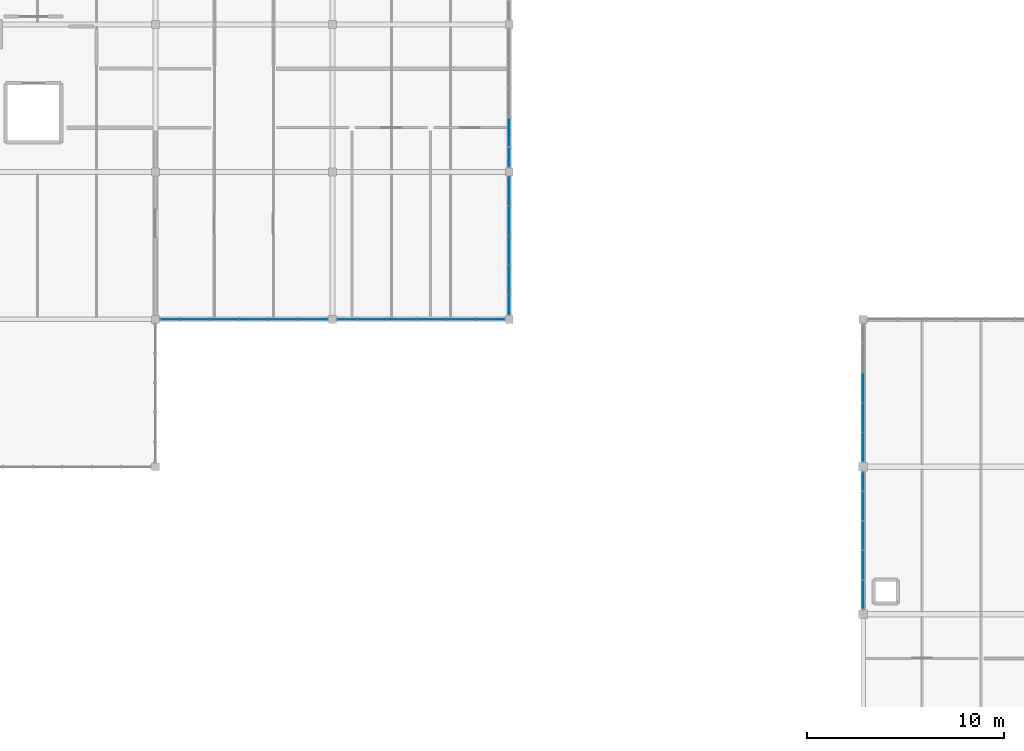
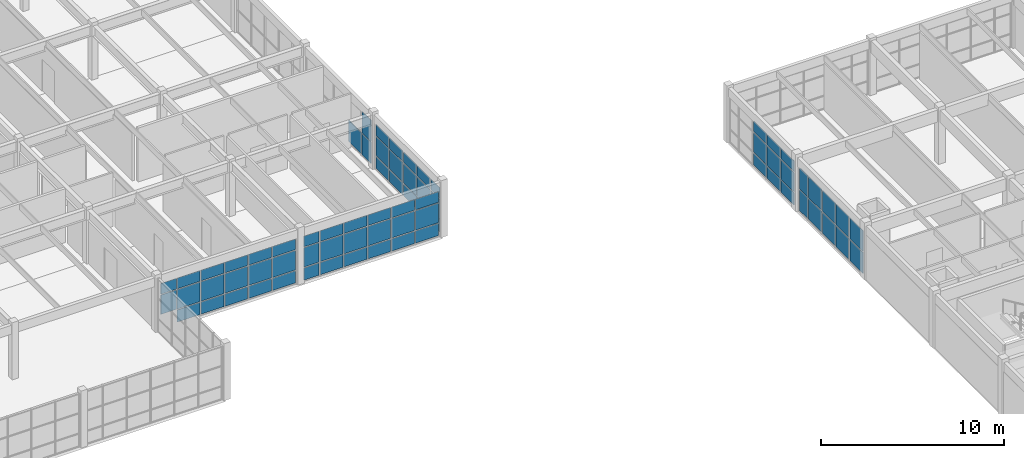
# One storey, part 57 of 81: 72 plates, 6 elements without a shape of their own.
"""IFC4 building model written with IfcOpenShell, lengths in metres."""

from ifc_helpers import new_model, si_unit, direction, frame, origin, origin_2d, place, context, subcontext, project, spatial, rectangle, extrude, material, layer, layer_set, type_object, element, aggregate, save


model = new_model("IFC4")

# Units and contexts
model_context = context("Model", 3, precision=1e-05, world=origin(), true_north=direction((0.0, 1.0)))
body_context = subcontext(model_context, "Body", "Model", "MODEL_VIEW")
ifc_project = project(units=[si_unit("LENGTHUNIT", "METRE"), si_unit("AREAUNIT", "SQUARE_METRE"), si_unit("VOLUMEUNIT", "CUBIC_METRE"), si_unit("PLANEANGLEUNIT", "RADIAN"), si_unit("MASSUNIT", "GRAM", prefix="KILO")], contexts=[model_context])

# Site, building, storey
site_placement = place(None, origin())
site = spatial("IfcSite", under=ifc_project, at=site_placement, CompositionType="ELEMENT")
building_placement = place(site_placement, origin())
building = spatial("IfcBuilding", under=site, at=building_placement, Name="Marnridge Secondary College", CompositionType="ELEMENT")
storey_placement = place(building_placement, frame((0.0, 0.0, 8.5)))
storey = spatial("IfcBuildingStorey", under=building, at=storey_placement, Name="L02", CompositionType="ELEMENT", Elevation=8.5)

# Curtain wall, plates
ifc_material_1 = material(Name="Thermally broken aluminium and low-E glazing", Category="aluminium")
ifc_layer_1 = layer(ifc_material_1, 0.159912109375)
ifc_layer_set_1 = layer_set([ifc_layer_1], Name="CW-MOD-1500")
curtain_wall_type = type_object("IfcCurtainWallType", Name="CW-MOD-1500", PredefinedType="NOTDEFINED", material=ifc_layer_set_1)
curtain_wall_1_placement = place(storey_placement, origin())
curtain_wall_1 = element("IfcCurtainWall", 1, at=curtain_wall_1_placement, inside=storey, type_object=curtain_wall_type, Name="Unitised curtain wall CW-L02-083", PredefinedType="NOTDEFINED")
ifc_material_2 = material(Name="Double-glazed low-E argon unit", Category="glass")
ifc_layer_2 = layer(ifc_material_2, 0.028076171875)
ifc_layer_set_2 = layer_set([ifc_layer_2], Name="CWP-GLZ28")
plate_type = type_object("IfcPlateType", Name="CWP-GLZ28", PredefinedType="CURTAIN_PANEL", material=ifc_layer_set_2)
plate_1_placement = place(storey_placement, frame((54.0, 68.509033203125, 0.06005859375), z_axis=(0.0, 0.0, 1.0), x_axis=(0.0, 1.0, 0.0)))
plate_1 = element("IfcPlate", 2, at=plate_1_placement, type_object=plate_type, Name="CW-L02-083 panel 1.1", PredefinedType="CURTAIN_PANEL", context=body_context, shape_type="SweptSolid", body=[
    extrude(rectangle(XDim=1.43994140625, YDim=0.028076171875, at=origin_2d()), origin(), (0.0, 0.0, 1.0), 1.39892578125),
])
plate_2_placement = place(storey_placement, frame((54.0, 68.509033203125, 1.51904296875), z_axis=(0.0, 0.0, 1.0), x_axis=(0.0, 1.0, 0.0)))
plate_2 = element("IfcPlate", 3, at=plate_2_placement, type_object=plate_type, Name="CW-L02-083 panel 1.2", PredefinedType="CURTAIN_PANEL", context=body_context, shape_type="SweptSolid", body=[
    extrude(rectangle(XDim=1.43994140625, YDim=0.028076171875, at=origin_2d()), origin(), (0.0, 0.0, 1.0), 1.39794921875),
])
plate_3_placement = place(storey_placement, frame((54.0, 70.009033203125, 0.06005859375), z_axis=(0.0, 0.0, 1.0), x_axis=(0.0, 1.0, 0.0)))
plate_3 = element("IfcPlate", 4, at=plate_3_placement, type_object=plate_type, Name="CW-L02-083 panel 2.1", PredefinedType="CURTAIN_PANEL", context=body_context, shape_type="SweptSolid", body=[
    extrude(rectangle(XDim=1.43994140625, YDim=0.028076171875, at=origin_2d()), origin(), (0.0, 0.0, 1.0), 1.39892578125),
])
plate_4_placement = place(storey_placement, frame((54.0, 70.009033203125, 1.51904296875), z_axis=(0.0, 0.0, 1.0), x_axis=(0.0, 1.0, 0.0)))
plate_4 = element("IfcPlate", 5, at=plate_4_placement, type_object=plate_type, Name="CW-L02-083 panel 2.2", PredefinedType="CURTAIN_PANEL", context=body_context, shape_type="SweptSolid", body=[
    extrude(rectangle(XDim=1.43994140625, YDim=0.028076171875, at=origin_2d()), origin(), (0.0, 0.0, 1.0), 1.39794921875),
])
plate_5_placement = place(storey_placement, frame((54.0, 71.509033203125, 0.06005859375), z_axis=(0.0, 0.0, 1.0), x_axis=(0.0, 1.0, 0.0)))
plate_5 = element("IfcPlate", 6, at=plate_5_placement, type_object=plate_type, Name="CW-L02-083 panel 3.1", PredefinedType="CURTAIN_PANEL", context=body_context, shape_type="SweptSolid", body=[
    extrude(rectangle(XDim=1.43994140625, YDim=0.028076171875, at=origin_2d()), origin(), (0.0, 0.0, 1.0), 1.39892578125),
])
plate_6_placement = place(storey_placement, frame((54.0, 71.509033203125, 1.51904296875), z_axis=(0.0, 0.0, 1.0), x_axis=(0.0, 1.0, 0.0)))
plate_6 = element("IfcPlate", 7, at=plate_6_placement, type_object=plate_type, Name="CW-L02-083 panel 3.2", PredefinedType="CURTAIN_PANEL", context=body_context, shape_type="SweptSolid", body=[
    extrude(rectangle(XDim=1.43994140625, YDim=0.028076171875, at=origin_2d()), origin(), (0.0, 0.0, 1.0), 1.39794921875),
])
plate_7_placement = place(storey_placement, frame((54.0, 73.009033203125, 0.06005859375), z_axis=(0.0, 0.0, 1.0), x_axis=(0.0, 1.0, 0.0)))
plate_7 = element("IfcPlate", 8, at=plate_7_placement, type_object=plate_type, Name="CW-L02-083 panel 4.1", PredefinedType="CURTAIN_PANEL", context=body_context, shape_type="SweptSolid", body=[
    extrude(rectangle(XDim=1.43994140625, YDim=0.028076171875, at=origin_2d()), origin(), (0.0, 0.0, 1.0), 1.39892578125),
])
plate_8_placement = place(storey_placement, frame((54.0, 73.009033203125, 1.51904296875), z_axis=(0.0, 0.0, 1.0), x_axis=(0.0, 1.0, 0.0)))
plate_8 = element("IfcPlate", 9, at=plate_8_placement, type_object=plate_type, Name="CW-L02-083 panel 4.2", PredefinedType="CURTAIN_PANEL", context=body_context, shape_type="SweptSolid", body=[
    extrude(rectangle(XDim=1.43994140625, YDim=0.028076171875, at=origin_2d()), origin(), (0.0, 0.0, 1.0), 1.39794921875),
])
plate_9_placement = place(storey_placement, frame((54.0, 74.25, 0.06005859375), z_axis=(0.0, 0.0, 1.0), x_axis=(0.0, 1.0, 0.0)))
plate_9 = element("IfcPlate", 10, at=plate_9_placement, type_object=plate_type, Name="CW-L02-083 panel 5.1", PredefinedType="CURTAIN_PANEL", context=body_context, shape_type="SweptSolid", body=[
    extrude(rectangle(XDim=0.922119140625, YDim=0.028076171875, at=origin_2d()), origin(), (0.0, 0.0, 1.0), 1.39892578125),
])
plate_10_placement = place(storey_placement, frame((54.0, 74.25, 1.51904296875), z_axis=(0.0, 0.0, 1.0), x_axis=(0.0, 1.0, 0.0)))
plate_10 = element("IfcPlate", 11, at=plate_10_placement, type_object=plate_type, Name="CW-L02-083 panel 5.2", PredefinedType="CURTAIN_PANEL", context=body_context, shape_type="SweptSolid", body=[
    extrude(rectangle(XDim=0.922119140625, YDim=0.028076171875, at=origin_2d()), origin(), (0.0, 0.0, 1.0), 1.39794921875),
])
aggregate(curtain_wall_1, [plate_1, plate_2, plate_3, plate_4, plate_5, plate_6, plate_7, plate_8, plate_9, plate_10])

curtain_wall_2_placement = place(storey_placement, origin())
curtain_wall_2 = element("IfcCurtainWall", 12, at=curtain_wall_2_placement, inside=storey, type_object=curtain_wall_type, Name="Unitised curtain wall CW-L02-084", PredefinedType="NOTDEFINED")
plate_11_placement = place(storey_placement, frame((54.0, 76.009033203125, 0.06005859375), z_axis=(0.0, 0.0, 1.0), x_axis=(0.0, 1.0, 0.0)))
plate_11 = element("IfcPlate", 13, at=plate_11_placement, type_object=plate_type, Name="CW-L02-084 panel 1.1", PredefinedType="CURTAIN_PANEL", context=body_context, shape_type="SweptSolid", body=[
    extrude(rectangle(XDim=1.43994140625, YDim=0.028076171875, at=origin_2d()), origin(), (0.0, 0.0, 1.0), 0.81005859375),
])
plate_12_placement = place(storey_placement, frame((54.0, 76.009033203125, 0.929931640625), z_axis=(0.0, 0.0, 1.0), x_axis=(0.0, 1.0, 0.0)))
plate_12 = element("IfcPlate", 14, at=plate_12_placement, type_object=plate_type, Name="CW-L02-084 panel 1.2", PredefinedType="CURTAIN_PANEL", context=body_context, shape_type="SweptSolid", body=[
    extrude(rectangle(XDim=1.43994140625, YDim=0.028076171875, at=origin_2d()), origin(), (0.0, 0.0, 1.0), 1.2900390625),
])
plate_13_placement = place(storey_placement, frame((54.0, 76.009033203125, 2.280029296875), z_axis=(0.0, 0.0, 1.0), x_axis=(0.0, 1.0, 0.0)))
plate_13 = element("IfcPlate", 15, at=plate_13_placement, type_object=plate_type, Name="CW-L02-084 panel 1.3", PredefinedType="CURTAIN_PANEL", context=body_context, shape_type="SweptSolid", body=[
    extrude(rectangle(XDim=1.43994140625, YDim=0.028076171875, at=origin_2d()), origin(), (0.0, 0.0, 1.0), 0.70703125),
])
plate_14_placement = place(storey_placement, frame((54.0, 77.509033203125, 0.06005859375), z_axis=(0.0, 0.0, 1.0), x_axis=(0.0, 1.0, 0.0)))
plate_14 = element("IfcPlate", 16, at=plate_14_placement, type_object=plate_type, Name="CW-L02-084 panel 2.1", PredefinedType="CURTAIN_PANEL", context=body_context, shape_type="SweptSolid", body=[
    extrude(rectangle(XDim=1.43994140625, YDim=0.028076171875, at=origin_2d()), origin(), (0.0, 0.0, 1.0), 0.81005859375),
])
plate_15_placement = place(storey_placement, frame((54.0, 77.509033203125, 0.929931640625), z_axis=(0.0, 0.0, 1.0), x_axis=(0.0, 1.0, 0.0)))
plate_15 = element("IfcPlate", 17, at=plate_15_placement, type_object=plate_type, Name="CW-L02-084 panel 2.2", PredefinedType="CURTAIN_PANEL", context=body_context, shape_type="SweptSolid", body=[
    extrude(rectangle(XDim=1.43994140625, YDim=0.028076171875, at=origin_2d()), origin(), (0.0, 0.0, 1.0), 1.2900390625),
])
plate_16_placement = place(storey_placement, frame((54.0, 77.509033203125, 2.280029296875), z_axis=(0.0, 0.0, 1.0), x_axis=(0.0, 1.0, 0.0)))
plate_16 = element("IfcPlate", 18, at=plate_16_placement, type_object=plate_type, Name="CW-L02-084 panel 2.3", PredefinedType="CURTAIN_PANEL", context=body_context, shape_type="SweptSolid", body=[
    extrude(rectangle(XDim=1.43994140625, YDim=0.028076171875, at=origin_2d()), origin(), (0.0, 0.0, 1.0), 0.70703125),
])
plate_17_placement = place(storey_placement, frame((54.0, 79.009033203125, 0.06005859375), z_axis=(0.0, 0.0, 1.0), x_axis=(0.0, 1.0, 0.0)))
plate_17 = element("IfcPlate", 19, at=plate_17_placement, type_object=plate_type, Name="CW-L02-084 panel 3.1", PredefinedType="CURTAIN_PANEL", context=body_context, shape_type="SweptSolid", body=[
    extrude(rectangle(XDim=1.43994140625, YDim=0.028076171875, at=origin_2d()), origin(), (0.0, 0.0, 1.0), 0.81005859375),
])
plate_18_placement = place(storey_placement, frame((54.0, 79.009033203125, 0.929931640625), z_axis=(0.0, 0.0, 1.0), x_axis=(0.0, 1.0, 0.0)))
plate_18 = element("IfcPlate", 20, at=plate_18_placement, type_object=plate_type, Name="CW-L02-084 panel 3.2", PredefinedType="CURTAIN_PANEL", context=body_context, shape_type="SweptSolid", body=[
    extrude(rectangle(XDim=1.43994140625, YDim=0.028076171875, at=origin_2d()), origin(), (0.0, 0.0, 1.0), 1.2900390625),
])
plate_19_placement = place(storey_placement, frame((54.0, 79.009033203125, 2.280029296875), z_axis=(0.0, 0.0, 1.0), x_axis=(0.0, 1.0, 0.0)))
plate_19 = element("IfcPlate", 21, at=plate_19_placement, type_object=plate_type, Name="CW-L02-084 panel 3.3", PredefinedType="CURTAIN_PANEL", context=body_context, shape_type="SweptSolid", body=[
    extrude(rectangle(XDim=1.43994140625, YDim=0.028076171875, at=origin_2d()), origin(), (0.0, 0.0, 1.0), 0.70703125),
])
aggregate(curtain_wall_2, [plate_11, plate_12, plate_13, plate_14, plate_15, plate_16, plate_17, plate_18, plate_19])

curtain_wall_3_placement = place(storey_placement, origin())
curtain_wall_3 = element("IfcCurtainWall", 22, at=curtain_wall_3_placement, inside=storey, type_object=curtain_wall_type, Name="Unitised curtain wall CW-L02-090", PredefinedType="NOTDEFINED")
plate_20_placement = place(storey_placement, frame((36.0, 92.01611328125, 0.06005859375), z_axis=(0.0, 0.0, 1.0), x_axis=(0.0, -1.0, 0.0)))
plate_20 = element("IfcPlate", 23, at=plate_20_placement, type_object=plate_type, Name="CW-L02-090 panel 4.1", PredefinedType="CURTAIN_PANEL", context=body_context, shape_type="SweptSolid", body=[
    extrude(rectangle(XDim=1.43994140625, YDim=0.028076171875, at=origin_2d()), origin(), (0.0, 0.0, 1.0), 1.404052734375),
])
plate_21_placement = place(storey_placement, frame((36.0, 90.75, 0.06005859375), z_axis=(0.0, 0.0, 1.0), x_axis=(0.0, -1.0, 0.0)))
plate_21 = element("IfcPlate", 24, at=plate_21_placement, type_object=plate_type, Name="CW-L02-090 panel 5.1", PredefinedType="CURTAIN_PANEL", context=body_context, shape_type="SweptSolid", body=[
    extrude(rectangle(XDim=0.971923828125, YDim=0.028076171875, at=origin_2d()), origin(), (0.0, 0.0, 1.0), 1.404052734375),
])
plate_22_placement = place(storey_placement, frame((36.0, 90.75, 1.52392578125), z_axis=(0.0, 0.0, 1.0), x_axis=(0.0, -1.0, 0.0)))
plate_22 = element("IfcPlate", 25, at=plate_22_placement, type_object=plate_type, Name="CW-L02-090 panel 5.2", PredefinedType="CURTAIN_PANEL", context=body_context, shape_type="SweptSolid", body=[
    extrude(rectangle(XDim=0.971923828125, YDim=0.028076171875, at=origin_2d()), origin(), (0.0, 0.0, 1.0), 1.403076171875),
])
aggregate(curtain_wall_3, [plate_20, plate_21, plate_22])

curtain_wall_4_placement = place(storey_placement, origin())
curtain_wall_4 = element("IfcCurtainWall", 26, at=curtain_wall_4_placement, inside=storey, type_object=curtain_wall_type, Name="Unitised curtain wall CW-L02-091", PredefinedType="NOTDEFINED")
plate_23_placement = place(storey_placement, frame((36.0, 89.01611328125, 0.06005859375), z_axis=(0.0, 0.0, 1.0), x_axis=(0.0, -1.0, 0.0)))
plate_23 = element("IfcPlate", 27, at=plate_23_placement, type_object=plate_type, Name="CW-L02-091 panel 1.1", PredefinedType="CURTAIN_PANEL", context=body_context, shape_type="SweptSolid", body=[
    extrude(rectangle(XDim=1.43994140625, YDim=0.028076171875, at=origin_2d()), origin(), (0.0, 0.0, 1.0), 0.81005859375),
])
plate_24_placement = place(storey_placement, frame((36.0, 89.01611328125, 0.929931640625), z_axis=(0.0, 0.0, 1.0), x_axis=(0.0, -1.0, 0.0)))
plate_24 = element("IfcPlate", 28, at=plate_24_placement, type_object=plate_type, Name="CW-L02-091 panel 1.2", PredefinedType="CURTAIN_PANEL", context=body_context, shape_type="SweptSolid", body=[
    extrude(rectangle(XDim=1.43994140625, YDim=0.028076171875, at=origin_2d()), origin(), (0.0, 0.0, 1.0), 1.2900390625),
])
plate_25_placement = place(storey_placement, frame((36.0, 89.01611328125, 2.280029296875), z_axis=(0.0, 0.0, 1.0), x_axis=(0.0, -1.0, 0.0)))
plate_25 = element("IfcPlate", 29, at=plate_25_placement, type_object=plate_type, Name="CW-L02-091 panel 1.3", PredefinedType="CURTAIN_PANEL", context=body_context, shape_type="SweptSolid", body=[
    extrude(rectangle(XDim=1.43994140625, YDim=0.028076171875, at=origin_2d()), origin(), (0.0, 0.0, 1.0), 0.70703125),
])
plate_26_placement = place(storey_placement, frame((36.0, 87.51611328125, 0.06005859375), z_axis=(0.0, 0.0, 1.0), x_axis=(0.0, -1.0, 0.0)))
plate_26 = element("IfcPlate", 30, at=plate_26_placement, type_object=plate_type, Name="CW-L02-091 panel 2.1", PredefinedType="CURTAIN_PANEL", context=body_context, shape_type="SweptSolid", body=[
    extrude(rectangle(XDim=1.43994140625, YDim=0.028076171875, at=origin_2d()), origin(), (0.0, 0.0, 1.0), 0.81005859375),
])
plate_27_placement = place(storey_placement, frame((36.0, 87.51611328125, 0.929931640625), z_axis=(0.0, 0.0, 1.0), x_axis=(0.0, -1.0, 0.0)))
plate_27 = element("IfcPlate", 31, at=plate_27_placement, type_object=plate_type, Name="CW-L02-091 panel 2.2", PredefinedType="CURTAIN_PANEL", context=body_context, shape_type="SweptSolid", body=[
    extrude(rectangle(XDim=1.43994140625, YDim=0.028076171875, at=origin_2d()), origin(), (0.0, 0.0, 1.0), 1.2900390625),
])
plate_28_placement = place(storey_placement, frame((36.0, 87.51611328125, 2.280029296875), z_axis=(0.0, 0.0, 1.0), x_axis=(0.0, -1.0, 0.0)))
plate_28 = element("IfcPlate", 32, at=plate_28_placement, type_object=plate_type, Name="CW-L02-091 panel 2.3", PredefinedType="CURTAIN_PANEL", context=body_context, shape_type="SweptSolid", body=[
    extrude(rectangle(XDim=1.43994140625, YDim=0.028076171875, at=origin_2d()), origin(), (0.0, 0.0, 1.0), 0.70703125),
])
plate_29_placement = place(storey_placement, frame((36.0, 86.01611328125, 0.06005859375), z_axis=(0.0, 0.0, 1.0), x_axis=(0.0, -1.0, 0.0)))
plate_29 = element("IfcPlate", 33, at=plate_29_placement, type_object=plate_type, Name="CW-L02-091 panel 3.1", PredefinedType="CURTAIN_PANEL", context=body_context, shape_type="SweptSolid", body=[
    extrude(rectangle(XDim=1.43994140625, YDim=0.028076171875, at=origin_2d()), origin(), (0.0, 0.0, 1.0), 0.81005859375),
])
plate_30_placement = place(storey_placement, frame((36.0, 86.01611328125, 0.929931640625), z_axis=(0.0, 0.0, 1.0), x_axis=(0.0, -1.0, 0.0)))
plate_30 = element("IfcPlate", 34, at=plate_30_placement, type_object=plate_type, Name="CW-L02-091 panel 3.2", PredefinedType="CURTAIN_PANEL", context=body_context, shape_type="SweptSolid", body=[
    extrude(rectangle(XDim=1.43994140625, YDim=0.028076171875, at=origin_2d()), origin(), (0.0, 0.0, 1.0), 1.2900390625),
])
plate_31_placement = place(storey_placement, frame((36.0, 86.01611328125, 2.280029296875), z_axis=(0.0, 0.0, 1.0), x_axis=(0.0, -1.0, 0.0)))
plate_31 = element("IfcPlate", 35, at=plate_31_placement, type_object=plate_type, Name="CW-L02-091 panel 3.3", PredefinedType="CURTAIN_PANEL", context=body_context, shape_type="SweptSolid", body=[
    extrude(rectangle(XDim=1.43994140625, YDim=0.028076171875, at=origin_2d()), origin(), (0.0, 0.0, 1.0), 0.70703125),
])
plate_32_placement = place(storey_placement, frame((36.0, 84.51611328125, 0.06005859375), z_axis=(0.0, 0.0, 1.0), x_axis=(0.0, -1.0, 0.0)))
plate_32 = element("IfcPlate", 36, at=plate_32_placement, type_object=plate_type, Name="CW-L02-091 panel 4.1", PredefinedType="CURTAIN_PANEL", context=body_context, shape_type="SweptSolid", body=[
    extrude(rectangle(XDim=1.43994140625, YDim=0.028076171875, at=origin_2d()), origin(), (0.0, 0.0, 1.0), 0.81005859375),
])
plate_33_placement = place(storey_placement, frame((36.0, 84.51611328125, 0.929931640625), z_axis=(0.0, 0.0, 1.0), x_axis=(0.0, -1.0, 0.0)))
plate_33 = element("IfcPlate", 37, at=plate_33_placement, type_object=plate_type, Name="CW-L02-091 panel 4.2", PredefinedType="CURTAIN_PANEL", context=body_context, shape_type="SweptSolid", body=[
    extrude(rectangle(XDim=1.43994140625, YDim=0.028076171875, at=origin_2d()), origin(), (0.0, 0.0, 1.0), 1.2900390625),
])
plate_34_placement = place(storey_placement, frame((36.0, 84.51611328125, 2.280029296875), z_axis=(0.0, 0.0, 1.0), x_axis=(0.0, -1.0, 0.0)))
plate_34 = element("IfcPlate", 38, at=plate_34_placement, type_object=plate_type, Name="CW-L02-091 panel 4.3", PredefinedType="CURTAIN_PANEL", context=body_context, shape_type="SweptSolid", body=[
    extrude(rectangle(XDim=1.43994140625, YDim=0.028076171875, at=origin_2d()), origin(), (0.0, 0.0, 1.0), 0.70703125),
])
plate_35_placement = place(storey_placement, frame((36.0, 83.25, 0.06005859375), z_axis=(0.0, 0.0, 1.0), x_axis=(0.0, -1.0, 0.0)))
plate_35 = element("IfcPlate", 39, at=plate_35_placement, type_object=plate_type, Name="CW-L02-091 panel 5.1", PredefinedType="CURTAIN_PANEL", context=body_context, shape_type="SweptSolid", body=[
    extrude(rectangle(XDim=0.971923828125, YDim=0.028076171875, at=origin_2d()), origin(), (0.0, 0.0, 1.0), 0.81005859375),
])
plate_36_placement = place(storey_placement, frame((36.0, 83.25, 0.929931640625), z_axis=(0.0, 0.0, 1.0), x_axis=(0.0, -1.0, 0.0)))
plate_36 = element("IfcPlate", 40, at=plate_36_placement, type_object=plate_type, Name="CW-L02-091 panel 5.2", PredefinedType="CURTAIN_PANEL", context=body_context, shape_type="SweptSolid", body=[
    extrude(rectangle(XDim=0.971923828125, YDim=0.028076171875, at=origin_2d()), origin(), (0.0, 0.0, 1.0), 1.2900390625),
])
plate_37_placement = place(storey_placement, frame((36.0, 83.25, 2.280029296875), z_axis=(0.0, 0.0, 1.0), x_axis=(0.0, -1.0, 0.0)))
plate_37 = element("IfcPlate", 41, at=plate_37_placement, type_object=plate_type, Name="CW-L02-091 panel 5.3", PredefinedType="CURTAIN_PANEL", context=body_context, shape_type="SweptSolid", body=[
    extrude(rectangle(XDim=0.971923828125, YDim=0.028076171875, at=origin_2d()), origin(), (0.0, 0.0, 1.0), 0.70703125),
])
aggregate(curtain_wall_4, [plate_23, plate_24, plate_25, plate_26, plate_27, plate_28, plate_29, plate_30, plate_31, plate_32, plate_33, plate_34, plate_35, plate_36, plate_37])

curtain_wall_5_placement = place(storey_placement, origin())
curtain_wall_5 = element("IfcCurtainWall", 42, at=curtain_wall_5_placement, inside=storey, type_object=curtain_wall_type, Name="Unitised curtain wall CW-L02-092", PredefinedType="NOTDEFINED")
plate_38_placement = place(storey_placement, frame((35.01611328125, 82.5, 0.06005859375), z_axis=(0.0, 0.0, 1.0), x_axis=(-1.0, 0.0, 0.0)))
plate_38 = element("IfcPlate", 43, at=plate_38_placement, type_object=plate_type, Name="CW-L02-092 panel 1.1", PredefinedType="CURTAIN_PANEL", context=body_context, shape_type="SweptSolid", body=[
    extrude(rectangle(XDim=1.43994140625, YDim=0.028076171875, at=origin_2d()), origin(), (0.0, 0.0, 1.0), 0.81005859375),
])
plate_39_placement = place(storey_placement, frame((35.01611328125, 82.5, 0.929931640625), z_axis=(0.0, 0.0, 1.0), x_axis=(-1.0, 0.0, 0.0)))
plate_39 = element("IfcPlate", 44, at=plate_39_placement, type_object=plate_type, Name="CW-L02-092 panel 1.2", PredefinedType="CURTAIN_PANEL", context=body_context, shape_type="SweptSolid", body=[
    extrude(rectangle(XDim=1.43994140625, YDim=0.028076171875, at=origin_2d()), origin(), (0.0, 0.0, 1.0), 1.2900390625),
])
plate_40_placement = place(storey_placement, frame((35.01611328125, 82.5, 2.280029296875), z_axis=(0.0, 0.0, 1.0), x_axis=(-1.0, 0.0, 0.0)))
plate_40 = element("IfcPlate", 45, at=plate_40_placement, type_object=plate_type, Name="CW-L02-092 panel 1.3", PredefinedType="CURTAIN_PANEL", context=body_context, shape_type="SweptSolid", body=[
    extrude(rectangle(XDim=1.43994140625, YDim=0.028076171875, at=origin_2d()), origin(), (0.0, 0.0, 1.0), 0.70703125),
])
plate_41_placement = place(storey_placement, frame((33.51611328125, 82.5, 0.06005859375), z_axis=(0.0, 0.0, 1.0), x_axis=(-1.0, 0.0, 0.0)))
plate_41 = element("IfcPlate", 46, at=plate_41_placement, type_object=plate_type, Name="CW-L02-092 panel 2.1", PredefinedType="CURTAIN_PANEL", context=body_context, shape_type="SweptSolid", body=[
    extrude(rectangle(XDim=1.43994140625, YDim=0.028076171875, at=origin_2d()), origin(), (0.0, 0.0, 1.0), 0.81005859375),
])
plate_42_placement = place(storey_placement, frame((33.51611328125, 82.5, 0.929931640625), z_axis=(0.0, 0.0, 1.0), x_axis=(-1.0, 0.0, 0.0)))
plate_42 = element("IfcPlate", 47, at=plate_42_placement, type_object=plate_type, Name="CW-L02-092 panel 2.2", PredefinedType="CURTAIN_PANEL", context=body_context, shape_type="SweptSolid", body=[
    extrude(rectangle(XDim=1.43994140625, YDim=0.028076171875, at=origin_2d()), origin(), (0.0, 0.0, 1.0), 1.2900390625),
])
plate_43_placement = place(storey_placement, frame((33.51611328125, 82.5, 2.280029296875), z_axis=(0.0, 0.0, 1.0), x_axis=(-1.0, 0.0, 0.0)))
plate_43 = element("IfcPlate", 48, at=plate_43_placement, type_object=plate_type, Name="CW-L02-092 panel 2.3", PredefinedType="CURTAIN_PANEL", context=body_context, shape_type="SweptSolid", body=[
    extrude(rectangle(XDim=1.43994140625, YDim=0.028076171875, at=origin_2d()), origin(), (0.0, 0.0, 1.0), 0.70703125),
])
plate_44_placement = place(storey_placement, frame((32.01611328125, 82.5, 0.06005859375), z_axis=(0.0, 0.0, 1.0), x_axis=(-1.0, 0.0, 0.0)))
plate_44 = element("IfcPlate", 49, at=plate_44_placement, type_object=plate_type, Name="CW-L02-092 panel 3.1", PredefinedType="CURTAIN_PANEL", context=body_context, shape_type="SweptSolid", body=[
    extrude(rectangle(XDim=1.43994140625, YDim=0.028076171875, at=origin_2d()), origin(), (0.0, 0.0, 1.0), 0.81005859375),
])
plate_45_placement = place(storey_placement, frame((32.01611328125, 82.5, 0.929931640625), z_axis=(0.0, 0.0, 1.0), x_axis=(-1.0, 0.0, 0.0)))
plate_45 = element("IfcPlate", 50, at=plate_45_placement, type_object=plate_type, Name="CW-L02-092 panel 3.2", PredefinedType="CURTAIN_PANEL", context=body_context, shape_type="SweptSolid", body=[
    extrude(rectangle(XDim=1.43994140625, YDim=0.028076171875, at=origin_2d()), origin(), (0.0, 0.0, 1.0), 1.2900390625),
])
plate_46_placement = place(storey_placement, frame((32.01611328125, 82.5, 2.280029296875), z_axis=(0.0, 0.0, 1.0), x_axis=(-1.0, 0.0, 0.0)))
plate_46 = element("IfcPlate", 51, at=plate_46_placement, type_object=plate_type, Name="CW-L02-092 panel 3.3", PredefinedType="CURTAIN_PANEL", context=body_context, shape_type="SweptSolid", body=[
    extrude(rectangle(XDim=1.43994140625, YDim=0.028076171875, at=origin_2d()), origin(), (0.0, 0.0, 1.0), 0.70703125),
])
plate_47_placement = place(storey_placement, frame((30.51611328125, 82.5, 0.06005859375), z_axis=(0.0, 0.0, 1.0), x_axis=(-1.0, 0.0, 0.0)))
plate_47 = element("IfcPlate", 52, at=plate_47_placement, type_object=plate_type, Name="CW-L02-092 panel 4.1", PredefinedType="CURTAIN_PANEL", context=body_context, shape_type="SweptSolid", body=[
    extrude(rectangle(XDim=1.43994140625, YDim=0.028076171875, at=origin_2d()), origin(), (0.0, 0.0, 1.0), 0.81005859375),
])
plate_48_placement = place(storey_placement, frame((30.51611328125, 82.5, 0.929931640625), z_axis=(0.0, 0.0, 1.0), x_axis=(-1.0, 0.0, 0.0)))
plate_48 = element("IfcPlate", 53, at=plate_48_placement, type_object=plate_type, Name="CW-L02-092 panel 4.2", PredefinedType="CURTAIN_PANEL", context=body_context, shape_type="SweptSolid", body=[
    extrude(rectangle(XDim=1.43994140625, YDim=0.028076171875, at=origin_2d()), origin(), (0.0, 0.0, 1.0), 1.2900390625),
])
plate_49_placement = place(storey_placement, frame((30.51611328125, 82.5, 2.280029296875), z_axis=(0.0, 0.0, 1.0), x_axis=(-1.0, 0.0, 0.0)))
plate_49 = element("IfcPlate", 54, at=plate_49_placement, type_object=plate_type, Name="CW-L02-092 panel 4.3", PredefinedType="CURTAIN_PANEL", context=body_context, shape_type="SweptSolid", body=[
    extrude(rectangle(XDim=1.43994140625, YDim=0.028076171875, at=origin_2d()), origin(), (0.0, 0.0, 1.0), 0.70703125),
])
plate_50_placement = place(storey_placement, frame((29.01611328125, 82.5, 0.06005859375), z_axis=(0.0, 0.0, 1.0), x_axis=(-1.0, 0.0, 0.0)))
plate_50 = element("IfcPlate", 55, at=plate_50_placement, type_object=plate_type, Name="CW-L02-092 panel 5.1", PredefinedType="CURTAIN_PANEL", context=body_context, shape_type="SweptSolid", body=[
    extrude(rectangle(XDim=1.43994140625, YDim=0.028076171875, at=origin_2d()), origin(), (0.0, 0.0, 1.0), 0.81005859375),
])
plate_51_placement = place(storey_placement, frame((29.01611328125, 82.5, 0.929931640625), z_axis=(0.0, 0.0, 1.0), x_axis=(-1.0, 0.0, 0.0)))
plate_51 = element("IfcPlate", 56, at=plate_51_placement, type_object=plate_type, Name="CW-L02-092 panel 5.2", PredefinedType="CURTAIN_PANEL", context=body_context, shape_type="SweptSolid", body=[
    extrude(rectangle(XDim=1.43994140625, YDim=0.028076171875, at=origin_2d()), origin(), (0.0, 0.0, 1.0), 1.2900390625),
])
plate_52_placement = place(storey_placement, frame((29.01611328125, 82.5, 2.280029296875), z_axis=(0.0, 0.0, 1.0), x_axis=(-1.0, 0.0, 0.0)))
plate_52 = element("IfcPlate", 57, at=plate_52_placement, type_object=plate_type, Name="CW-L02-092 panel 5.3", PredefinedType="CURTAIN_PANEL", context=body_context, shape_type="SweptSolid", body=[
    extrude(rectangle(XDim=1.43994140625, YDim=0.028076171875, at=origin_2d()), origin(), (0.0, 0.0, 1.0), 0.70703125),
])
plate_53_placement = place(storey_placement, frame((27.75, 82.5, 0.06005859375), z_axis=(0.0, 0.0, 1.0), x_axis=(-1.0, 0.0, 0.0)))
plate_53 = element("IfcPlate", 58, at=plate_53_placement, type_object=plate_type, Name="CW-L02-092 panel 6.1", PredefinedType="CURTAIN_PANEL", context=body_context, shape_type="SweptSolid", body=[
    extrude(rectangle(XDim=0.971923828125, YDim=0.028076171875, at=origin_2d()), origin(), (0.0, 0.0, 1.0), 0.81005859375),
])
plate_54_placement = place(storey_placement, frame((27.75, 82.5, 0.929931640625), z_axis=(0.0, 0.0, 1.0), x_axis=(-1.0, 0.0, 0.0)))
plate_54 = element("IfcPlate", 59, at=plate_54_placement, type_object=plate_type, Name="CW-L02-092 panel 6.2", PredefinedType="CURTAIN_PANEL", context=body_context, shape_type="SweptSolid", body=[
    extrude(rectangle(XDim=0.971923828125, YDim=0.028076171875, at=origin_2d()), origin(), (0.0, 0.0, 1.0), 1.2900390625),
])
plate_55_placement = place(storey_placement, frame((27.75, 82.5, 2.280029296875), z_axis=(0.0, 0.0, 1.0), x_axis=(-1.0, 0.0, 0.0)))
plate_55 = element("IfcPlate", 60, at=plate_55_placement, type_object=plate_type, Name="CW-L02-092 panel 6.3", PredefinedType="CURTAIN_PANEL", context=body_context, shape_type="SweptSolid", body=[
    extrude(rectangle(XDim=0.971923828125, YDim=0.028076171875, at=origin_2d()), origin(), (0.0, 0.0, 1.0), 0.70703125),
])
aggregate(curtain_wall_5, [plate_38, plate_39, plate_40, plate_41, plate_42, plate_43, plate_44, plate_45, plate_46, plate_47, plate_48, plate_49, plate_50, plate_51, plate_52, plate_53, plate_54, plate_55])

curtain_wall_6_placement = place(storey_placement, origin())
curtain_wall_6 = element("IfcCurtainWall", 61, at=curtain_wall_6_placement, inside=storey, type_object=curtain_wall_type, Name="Unitised curtain wall CW-L02-093", PredefinedType="NOTDEFINED")
plate_56_placement = place(storey_placement, frame((26.01611328125, 82.5, 0.06005859375), z_axis=(0.0, 0.0, 1.0), x_axis=(-1.0, 0.0, 0.0)))
plate_56 = element("IfcPlate", 62, at=plate_56_placement, type_object=plate_type, Name="CW-L02-093 panel 1.1", PredefinedType="CURTAIN_PANEL", context=body_context, shape_type="SweptSolid", body=[
    extrude(rectangle(XDim=1.43994140625, YDim=0.028076171875, at=origin_2d()), origin(), (0.0, 0.0, 1.0), 0.81005859375),
])
plate_57_placement = place(storey_placement, frame((26.01611328125, 82.5, 0.929931640625), z_axis=(0.0, 0.0, 1.0), x_axis=(-1.0, 0.0, 0.0)))
plate_57 = element("IfcPlate", 63, at=plate_57_placement, type_object=plate_type, Name="CW-L02-093 panel 1.2", PredefinedType="CURTAIN_PANEL", context=body_context, shape_type="SweptSolid", body=[
    extrude(rectangle(XDim=1.43994140625, YDim=0.028076171875, at=origin_2d()), origin(), (0.0, 0.0, 1.0), 1.2900390625),
])
plate_58_placement = place(storey_placement, frame((26.01611328125, 82.5, 2.280029296875), z_axis=(0.0, 0.0, 1.0), x_axis=(-1.0, 0.0, 0.0)))
plate_58 = element("IfcPlate", 64, at=plate_58_placement, type_object=plate_type, Name="CW-L02-093 panel 1.3", PredefinedType="CURTAIN_PANEL", context=body_context, shape_type="SweptSolid", body=[
    extrude(rectangle(XDim=1.43994140625, YDim=0.028076171875, at=origin_2d()), origin(), (0.0, 0.0, 1.0), 0.70703125),
])
plate_59_placement = place(storey_placement, frame((24.51611328125, 82.5, 0.06005859375), z_axis=(0.0, 0.0, 1.0), x_axis=(-1.0, 0.0, 0.0)))
plate_59 = element("IfcPlate", 65, at=plate_59_placement, type_object=plate_type, Name="CW-L02-093 panel 2.1", PredefinedType="CURTAIN_PANEL", context=body_context, shape_type="SweptSolid", body=[
    extrude(rectangle(XDim=1.43994140625, YDim=0.028076171875, at=origin_2d()), origin(), (0.0, 0.0, 1.0), 0.81005859375),
])
plate_60_placement = place(storey_placement, frame((24.51611328125, 82.5, 0.929931640625), z_axis=(0.0, 0.0, 1.0), x_axis=(-1.0, 0.0, 0.0)))
plate_60 = element("IfcPlate", 66, at=plate_60_placement, type_object=plate_type, Name="CW-L02-093 panel 2.2", PredefinedType="CURTAIN_PANEL", context=body_context, shape_type="SweptSolid", body=[
    extrude(rectangle(XDim=1.43994140625, YDim=0.028076171875, at=origin_2d()), origin(), (0.0, 0.0, 1.0), 1.2900390625),
])
plate_61_placement = place(storey_placement, frame((24.51611328125, 82.5, 2.280029296875), z_axis=(0.0, 0.0, 1.0), x_axis=(-1.0, 0.0, 0.0)))
plate_61 = element("IfcPlate", 67, at=plate_61_placement, type_object=plate_type, Name="CW-L02-093 panel 2.3", PredefinedType="CURTAIN_PANEL", context=body_context, shape_type="SweptSolid", body=[
    extrude(rectangle(XDim=1.43994140625, YDim=0.028076171875, at=origin_2d()), origin(), (0.0, 0.0, 1.0), 0.70703125),
])
plate_62_placement = place(storey_placement, frame((23.01611328125, 82.5, 0.06005859375), z_axis=(0.0, 0.0, 1.0), x_axis=(-1.0, 0.0, 0.0)))
plate_62 = element("IfcPlate", 68, at=plate_62_placement, type_object=plate_type, Name="CW-L02-093 panel 3.1", PredefinedType="CURTAIN_PANEL", context=body_context, shape_type="SweptSolid", body=[
    extrude(rectangle(XDim=1.43994140625, YDim=0.028076171875, at=origin_2d()), origin(), (0.0, 0.0, 1.0), 0.81005859375),
])
plate_63_placement = place(storey_placement, frame((23.01611328125, 82.5, 0.929931640625), z_axis=(0.0, 0.0, 1.0), x_axis=(-1.0, 0.0, 0.0)))
plate_63 = element("IfcPlate", 69, at=plate_63_placement, type_object=plate_type, Name="CW-L02-093 panel 3.2", PredefinedType="CURTAIN_PANEL", context=body_context, shape_type="SweptSolid", body=[
    extrude(rectangle(XDim=1.43994140625, YDim=0.028076171875, at=origin_2d()), origin(), (0.0, 0.0, 1.0), 1.2900390625),
])
plate_64_placement = place(storey_placement, frame((23.01611328125, 82.5, 2.280029296875), z_axis=(0.0, 0.0, 1.0), x_axis=(-1.0, 0.0, 0.0)))
plate_64 = element("IfcPlate", 70, at=plate_64_placement, type_object=plate_type, Name="CW-L02-093 panel 3.3", PredefinedType="CURTAIN_PANEL", context=body_context, shape_type="SweptSolid", body=[
    extrude(rectangle(XDim=1.43994140625, YDim=0.028076171875, at=origin_2d()), origin(), (0.0, 0.0, 1.0), 0.70703125),
])
plate_65_placement = place(storey_placement, frame((21.51611328125, 82.5, 0.06005859375), z_axis=(0.0, 0.0, 1.0), x_axis=(-1.0, 0.0, 0.0)))
plate_65 = element("IfcPlate", 71, at=plate_65_placement, type_object=plate_type, Name="CW-L02-093 panel 4.1", PredefinedType="CURTAIN_PANEL", context=body_context, shape_type="SweptSolid", body=[
    extrude(rectangle(XDim=1.43994140625, YDim=0.028076171875, at=origin_2d()), origin(), (0.0, 0.0, 1.0), 0.81005859375),
])
plate_66_placement = place(storey_placement, frame((21.51611328125, 82.5, 0.929931640625), z_axis=(0.0, 0.0, 1.0), x_axis=(-1.0, 0.0, 0.0)))
plate_66 = element("IfcPlate", 72, at=plate_66_placement, type_object=plate_type, Name="CW-L02-093 panel 4.2", PredefinedType="CURTAIN_PANEL", context=body_context, shape_type="SweptSolid", body=[
    extrude(rectangle(XDim=1.43994140625, YDim=0.028076171875, at=origin_2d()), origin(), (0.0, 0.0, 1.0), 1.2900390625),
])
plate_67_placement = place(storey_placement, frame((21.51611328125, 82.5, 2.280029296875), z_axis=(0.0, 0.0, 1.0), x_axis=(-1.0, 0.0, 0.0)))
plate_67 = element("IfcPlate", 73, at=plate_67_placement, type_object=plate_type, Name="CW-L02-093 panel 4.3", PredefinedType="CURTAIN_PANEL", context=body_context, shape_type="SweptSolid", body=[
    extrude(rectangle(XDim=1.43994140625, YDim=0.028076171875, at=origin_2d()), origin(), (0.0, 0.0, 1.0), 0.70703125),
])
plate_68_placement = place(storey_placement, frame((20.01611328125, 82.5, 0.06005859375), z_axis=(0.0, 0.0, 1.0), x_axis=(-1.0, 0.0, 0.0)))
plate_68 = element("IfcPlate", 74, at=plate_68_placement, type_object=plate_type, Name="CW-L02-093 panel 5.1", PredefinedType="CURTAIN_PANEL", context=body_context, shape_type="SweptSolid", body=[
    extrude(rectangle(XDim=1.43994140625, YDim=0.028076171875, at=origin_2d()), origin(), (0.0, 0.0, 1.0), 0.81005859375),
])
plate_69_placement = place(storey_placement, frame((20.01611328125, 82.5, 0.929931640625), z_axis=(0.0, 0.0, 1.0), x_axis=(-1.0, 0.0, 0.0)))
plate_69 = element("IfcPlate", 75, at=plate_69_placement, type_object=plate_type, Name="CW-L02-093 panel 5.2", PredefinedType="CURTAIN_PANEL", context=body_context, shape_type="SweptSolid", body=[
    extrude(rectangle(XDim=1.43994140625, YDim=0.028076171875, at=origin_2d()), origin(), (0.0, 0.0, 1.0), 1.2900390625),
])
plate_70_placement = place(storey_placement, frame((20.01611328125, 82.5, 2.280029296875), z_axis=(0.0, 0.0, 1.0), x_axis=(-1.0, 0.0, 0.0)))
plate_70 = element("IfcPlate", 76, at=plate_70_placement, type_object=plate_type, Name="CW-L02-093 panel 5.3", PredefinedType="CURTAIN_PANEL", context=body_context, shape_type="SweptSolid", body=[
    extrude(rectangle(XDim=1.43994140625, YDim=0.028076171875, at=origin_2d()), origin(), (0.0, 0.0, 1.0), 0.70703125),
])
plate_71_placement = place(storey_placement, frame((18.75, 82.5, 0.929931640625), z_axis=(0.0, 0.0, 1.0), x_axis=(-1.0, 0.0, 0.0)))
plate_71 = element("IfcPlate", 77, at=plate_71_placement, type_object=plate_type, Name="CW-L02-093 panel 6.2", PredefinedType="CURTAIN_PANEL", context=body_context, shape_type="SweptSolid", body=[
    extrude(rectangle(XDim=0.971923828125, YDim=0.028076171875, at=origin_2d()), origin(), (0.0, 0.0, 1.0), 1.2900390625),
])
plate_72_placement = place(storey_placement, frame((18.75, 82.5, 2.280029296875), z_axis=(0.0, 0.0, 1.0), x_axis=(-1.0, 0.0, 0.0)))
plate_72 = element("IfcPlate", 78, at=plate_72_placement, type_object=plate_type, Name="CW-L02-093 panel 6.3", PredefinedType="CURTAIN_PANEL", context=body_context, shape_type="SweptSolid", body=[
    extrude(rectangle(XDim=0.971923828125, YDim=0.028076171875, at=origin_2d()), origin(), (0.0, 0.0, 1.0), 0.70703125),
])
aggregate(curtain_wall_6, [plate_56, plate_57, plate_58, plate_59, plate_60, plate_61, plate_62, plate_63, plate_64, plate_65, plate_66, plate_67, plate_68, plate_69, plate_70, plate_71, plate_72])

save(model, "model.ifc")
